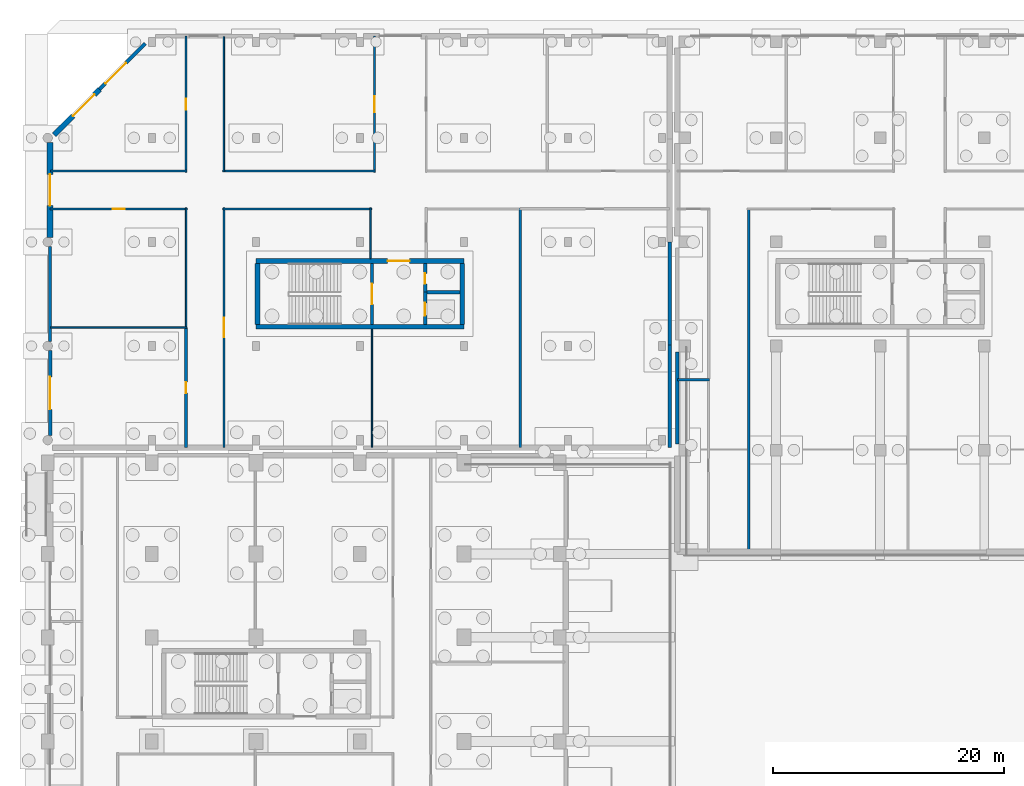
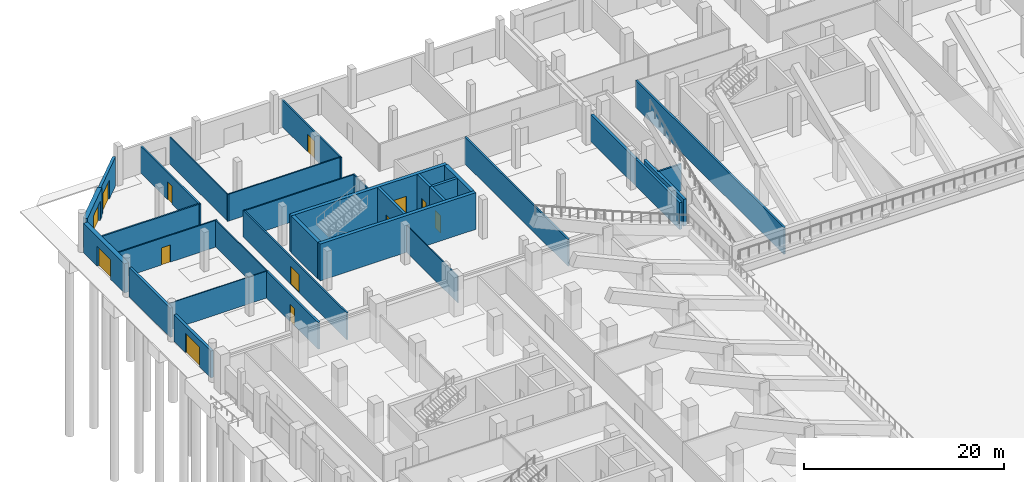
# One storey, part 33 of 53: 32 walls, 13 doors, 13 openings.
"""IFC4 building model written with IfcOpenShell, lengths in metres."""

import ifcopenshell
import ifcopenshell.guid

model = None  # the IFC model being written
_history = None  # IfcOwnerHistory: only IFC2X3 demands one
_inside = {}  # id of a spatial element -> (the spatial element, [elements in it])
_under = {}  # id of a project, library or spatial element -> (it, [spatial elements below it])
_declared = {}  # id of a project -> (the project, [libraries it declares])
_typed = {}  # id of a type object -> (the type object, [elements of that type])
_made_of = {}  # id of a material, layer set ... -> (it, [elements and type objects made of it])


def new_model(schema):
    """Start an empty IFC model of exactly this schema.

    Asked for "IFC4X3", IfcOpenShell would pick the latest addendum, in which some entities
    have other attributes; the version numbers below select the first issue.
    IFC2X3 requires an IfcOwnerHistory on every rooted entity: one is made here for all.
    """
    global model, _history
    if schema == "IFC4X3":
        model = ifcopenshell.file(schema_version=(4, 3, 0, 0))
    else:
        model = ifcopenshell.file(schema=schema)
    _inside.clear()
    _under.clear()
    _declared.clear()
    _typed.clear()
    _made_of.clear()
    _history = None
    if model.schema == "IFC2X3":
        org = make("IfcOrganization", Name="unknown")
        user = make(
            "IfcPersonAndOrganization",
            ThePerson=make("IfcPerson", FamilyName="unknown"),
            TheOrganization=org,
        )
        app = make(
            "IfcApplication",
            ApplicationDeveloper=org,
            Version="unknown",
            ApplicationFullName="unknown",
            ApplicationIdentifier="unknown",
        )
        _history = make(
            "IfcOwnerHistory",
            OwningUser=user,
            OwningApplication=app,
            ChangeAction="ADDED",
            CreationDate=0,
        )
    return model


def make(cls, **values):
    """One entity of the class cls with the attributes given. An attribute that is None is left unset."""
    return model.create_entity(
        cls, **{name: value for name, value in values.items() if value is not None}
    )


def rooted(cls, **values):
    """An entity with a GlobalId (a new one), such as an element, a storey or a relation."""
    return make(cls, GlobalId=ifcopenshell.guid.new(), OwnerHistory=_history, **values)


def si_unit(unit_type, name, prefix=None):
    """IfcSIUnit, for example si_unit("LENGTHUNIT", "METRE", prefix="MILLI")."""
    return make("IfcSIUnit", UnitType=unit_type, Prefix=prefix, Name=name)


def assignment(units):
    """IfcUnitAssignment: the units of a project."""
    return None if units is None else make("IfcUnitAssignment", Units=units)


def point(xyz):
    """IfcCartesianPoint."""
    return None if xyz is None else make("IfcCartesianPoint", Coordinates=xyz)


def direction(xyz):
    """IfcDirection."""
    return None if xyz is None else make("IfcDirection", DirectionRatios=xyz)


def frame(location, z_axis=None, x_axis=None):
    """IfcAxis2Placement3D, a coordinate frame: its origin and axes. An axis left out is left unset."""
    return make(
        "IfcAxis2Placement3D",
        Location=point(location),
        Axis=direction(z_axis),
        RefDirection=direction(x_axis),
    )


def frame_2d(location, x_axis=None):
    """IfcAxis2Placement2D, a coordinate frame in the plane: its origin and x axis."""
    return make(
        "IfcAxis2Placement2D", Location=point(location), RefDirection=direction(x_axis)
    )


def origin():
    """The frame at (0, 0, 0) with its axes left unset."""
    return frame((0.0, 0.0, 0.0))


def place(relative_to, where):
    """IfcLocalPlacement: puts the frame where relative to a parent placement (None: the world)."""
    return make(
        "IfcLocalPlacement", PlacementRelTo=relative_to, RelativePlacement=where
    )


def context(
    kind, dimensions, precision=None, world=None, true_north=None, identifier=None
):
    """IfcGeometricRepresentationContext, for example the 3D "Model" context."""
    return make(
        "IfcGeometricRepresentationContext",
        ContextIdentifier=identifier,
        ContextType=kind,
        CoordinateSpaceDimension=dimensions,
        Precision=precision,
        WorldCoordinateSystem=world,
        TrueNorth=true_north,
    )


def subcontext(parent, identifier, kind, view, scale=None):
    """IfcGeometricRepresentationSubContext, for example "Body" below "Model"."""
    return make(
        "IfcGeometricRepresentationSubContext",
        ContextIdentifier=identifier,
        ContextType=kind,
        ParentContext=parent,
        TargetScale=scale,
        TargetView=view,
    )


def project(units=None, contexts=None):
    """IfcProject with its units and contexts."""
    return rooted(
        "IfcProject",
        Name="project",
        RepresentationContexts=contexts,
        UnitsInContext=assignment(units),
    )


def spatial(cls, under=None, at=None, **own):
    """A site, building, storey or space (cls), placed at a placement, below another one or the project."""
    s = rooted(cls, ObjectPlacement=at, **own)
    if under is not None:
        _under.setdefault(under.id(), (under, []))[1].append(s)
    return s


def profile(cls, at=None, kind="AREA", **sizes):
    """A parametric profile (cls). Its sizes go by their IFC names, for example OverallWidth=200.0."""
    return make(cls, ProfileType=kind, Position=at, **sizes)


def rectangle(**sizes):
    """IfcRectangleProfileDef."""
    return profile("IfcRectangleProfileDef", **sizes)


def extrude(swept, where, along, depth):
    """IfcExtrudedAreaSolid: the profile swept, set in the frame where, extruded along a direction by depth."""
    return make(
        "IfcExtrudedAreaSolid",
        SweptArea=swept,
        Position=where,
        ExtrudedDirection=direction(along),
        Depth=depth,
    )


def shape(context_of_items, identifier, shape_type, items):
    """IfcShapeRepresentation: the items that make up one representation, for example the "Body"."""
    return make(
        "IfcShapeRepresentation",
        ContextOfItems=context_of_items,
        RepresentationIdentifier=identifier,
        RepresentationType=shape_type,
        Items=items,
    )


def material(Name=None, Category=None):
    """IfcMaterial."""
    return make("IfcMaterial", Name=Name, Category=Category)


def layer(
    of_material, thickness, ventilated=None, Name=None, Category=None, Priority=None
):
    """IfcMaterialLayer: one layer of a wall or slab, of a material (None: an air gap)."""
    return make(
        "IfcMaterialLayer",
        Material=of_material,
        LayerThickness=thickness,
        IsVentilated=ventilated,
        Name=Name,
        Category=Category,
        Priority=Priority,
    )


def layer_set(layers, Name=None):
    """IfcMaterialLayerSet."""
    return make("IfcMaterialLayerSet", MaterialLayers=layers, LayerSetName=Name)


def made_of(thing, what):
    """Note that an element or type object is made of a material, layer set ...; save() writes the relation."""
    if what is not None:
        _made_of.setdefault(what.id(), (what, []))[1].append(thing)
    return thing


def type_object(cls, material=None, **own):
    """A type object (cls), such as IfcWallType, which elements share."""
    return made_of(rooted(cls, **own), material)


def element(
    cls,
    number,
    at=None,
    inside=None,
    cuts=None,
    type_object=None,
    material=None,
    context=None,
    identifier="Body",
    shape_type=None,
    held_by="IfcProductDefinitionShape",
    body=None,
    shapes=None,
    **own,
):
    """One element of the class cls, such as IfcWall. Its Tag is "e" and its number.

    at: its placement. inside: the storey or other place that contains it. cuts: it is an
    opening in that element (IfcRelVoidsElement). A single representation is given by context,
    identifier, shape_type and body (its items); several are given by shapes. held_by: the class
    of the entity that holds the representations. save() writes the other relations.
    """
    e = rooted(cls, Tag="e%d" % number, ObjectPlacement=at, **own)
    if body is not None:
        shapes = [shape(context, identifier, shape_type, body)]
    if shapes is not None:
        e.Representation = make(held_by, Representations=shapes)
    if inside is not None:
        _inside.setdefault(inside.id(), (inside, []))[1].append(e)
    if cuts is not None:
        rooted(
            "IfcRelVoidsElement", RelatingBuildingElement=cuts, RelatedOpeningElement=e
        )
    if type_object is not None:
        _typed.setdefault(type_object.id(), (type_object, []))[1].append(e)
    return made_of(e, material)


def fill(opening, filler):
    """IfcRelFillsElement: the door or window that sits in an opening."""
    return rooted(
        "IfcRelFillsElement",
        RelatingOpeningElement=opening,
        RelatedBuildingElement=filler,
    )


def aggregate(whole, parts):
    """IfcRelAggregates: a whole, such as a stair, and the parts it consists of."""
    return rooted("IfcRelAggregates", RelatingObject=whole, RelatedObjects=parts)


def save(model, path):
    """Write the relations noted so far, then the file.

    IfcRelAggregates (storeys below a building ...), IfcRelContainedInSpatialStructure (elements
    in a storey), IfcRelDefinesByType, IfcRelAssociatesMaterial and IfcRelDeclares: one each for
    every whole, place, type object, material and project.
    """
    for whole, parts in _under.values():
        aggregate(whole, parts)
    for where, things in _inside.values():
        rooted(
            "IfcRelContainedInSpatialStructure",
            RelatedElements=things,
            RelatingStructure=where,
        )
    for kind, things in _typed.values():
        rooted("IfcRelDefinesByType", RelatedObjects=things, RelatingType=kind)
    for what, things in _made_of.values():
        rooted("IfcRelAssociatesMaterial", RelatedObjects=things, RelatingMaterial=what)
    for by, libraries in _declared.values():
        rooted("IfcRelDeclares", RelatingContext=by, RelatedDefinitions=libraries)
    model.write(path)


model = new_model("IFC4")

# Units and contexts
model_context = context("Model", 3, precision=1e-05, world=origin(), true_north=direction((0.0, 1.0)))
body_context = subcontext(model_context, "Body", "Model", "MODEL_VIEW")
ifc_project = project(units=[si_unit("LENGTHUNIT", "METRE"), si_unit("AREAUNIT", "SQUARE_METRE"), si_unit("VOLUMEUNIT", "CUBIC_METRE"), si_unit("PLANEANGLEUNIT", "RADIAN"), si_unit("MASSUNIT", "GRAM", prefix="KILO"), si_unit("THERMODYNAMICTEMPERATUREUNIT", "KELVIN"), si_unit("POWERUNIT", "WATT")], contexts=[model_context])

# Site, building, storey
site_placement = place(None, origin())
site = spatial("IfcSite", under=ifc_project, at=site_placement, CompositionType="ELEMENT")
building_placement = place(site_placement, origin())
building = spatial("IfcBuilding", under=site, at=building_placement, Name="Sindhuravela Promenade Stadium", CompositionType="ELEMENT")
storey_placement = place(building_placement, origin())
storey = spatial("IfcBuildingStorey", under=building, at=storey_placement, Name="L00", CompositionType="ELEMENT", Elevation=0.0)

# Walls
ifc_material_1 = material(Name="Dholpur sandstone ashlar (45 MPa)", Category="masonry")
ifc_layer_1 = layer(ifc_material_1, 0.2900390625)
ifc_layer_set_1 = layer_set([ifc_layer_1], Name="Dholpur sandstone ashlar (45 MPa)")
wall_type_1 = type_object("IfcWallType", Name="EX-WL-SND290", PredefinedType="SOLIDWALL", material=ifc_layer_set_1)
wall_1_placement = place(storey_placement, frame((0.199951171875, 135.405029296875, 0.0), z_axis=(0.0, 0.0, 1.0), x_axis=(0.0, 1.0, 0.0)))
element("IfcWall", 1, at=wall_1_placement, inside=storey, type_object=wall_type_1, Name="Exterior masonry wall EW10 Pavilion NW L00", PredefinedType="SOLIDWALL", context=body_context, shape_type="SweptSolid", body=[
    extrude(rectangle(XDim=8.18994140625, YDim=0.2900390625, at=frame_2d((4.094970703125, 0.0))), origin(), (0.0, 0.0, 1.0), 3.580078125),
])
wall_2_placement = place(storey_placement, frame((53.800048828125, 135.10009765625, 0.0), z_axis=(0.0, 0.0, 1.0), x_axis=(0.0, -1.0, 0.0)))
element("IfcWall", 2, at=wall_2_placement, inside=storey, type_object=wall_type_1, Name="Exterior masonry wall EW10 Pavilion NW L00", PredefinedType="SOLIDWALL", context=body_context, shape_type="SweptSolid", body=[
    extrude(rectangle(XDim=8.900146484375, YDim=0.2900390625, at=frame_2d((4.4501953125, 0.0))), origin(), (0.0, 0.0, 1.0), 3.280029296875),
])
ifc_layer_2 = layer(ifc_material_1, 0.31005859375)
ifc_layer_set_2 = layer_set([ifc_layer_2], Name="Dholpur sandstone ashlar (45 MPa)")
wall_type_2 = type_object("IfcWallType", Name="EX-WL-SND310", PredefinedType="SOLIDWALL", material=ifc_layer_set_2)
wall_3_placement = place(storey_placement, frame((54.449951171875, 126.5048828125, 0.0), z_axis=(0.0, 0.0, 1.0), x_axis=(0.0, 1.0, 0.0)))
element("IfcWall", 3, at=wall_3_placement, inside=storey, type_object=wall_type_2, Name="Exterior masonry wall EW09 NORTH L00", PredefinedType="SOLIDWALL", context=body_context, shape_type="SweptSolid", body=[
    extrude(rectangle(XDim=7.990234375, YDim=0.31005859375, at=frame_2d((3.9951171875, 0.0))), origin(), (0.0, 0.0, 1.0), 3.280029296875),
])

# Wall, opening, door
wall_4_placement = place(storey_placement, frame((0.199951171875, 127.2548828125, 0.0), z_axis=(0.0, 0.0, 1.0), x_axis=(0.0, 1.0, 0.0)))
wall_4 = element("IfcWall", 4, at=wall_4_placement, inside=storey, type_object=wall_type_2, Name="Exterior masonry wall EW09 Pavilion NW L00", PredefinedType="SOLIDWALL", context=body_context, shape_type="SweptSolid", body=[
    extrude(rectangle(XDim=7.340087890625, YDim=0.31005859375, at=frame_2d((3.669921875, 0.0))), origin(), (0.0, 0.0, 1.0), 3.280029296875),
])
opening_1_placement = place(wall_4_placement, frame((2.27001953125, 0.0, 0.0)))
opening_1 = element("IfcOpeningElement", 5, at=opening_1_placement, cuts=wall_4, Name="Opening X09", PredefinedType="OPENING", context=body_context, shape_type="SweptSolid", body=[
    extrude(rectangle(XDim=2.800048828125, YDim=2.39990234375, at=frame_2d((1.39990234375, 1.199951171875))), frame((0.0, 0.1650390625, 0.0), z_axis=(0.0, -1.0, 0.0), x_axis=(1.0, 0.0, 0.0)), (0.0, 0.0, 1.0), 0.330078125),
])
ifc_material_2 = material(Name="Anodised architectural aluminium 6063-T6", Category="aluminium")
door_type_1 = type_object("IfcDoorType", Name="DR-EXIT-2800x2400", OperationType="DOUBLE_DOOR_SINGLE_SWING", PredefinedType="DOOR", material=ifc_material_2)
door_1_placement = place(opening_1_placement, origin())
door_1 = element("IfcDoor", 6, at=door_1_placement, inside=storey, type_object=door_type_1, Name="Concourse exit discharge door X09", OperationType="DOUBLE_DOOR_SINGLE_SWING", OverallHeight=2.39990234375, OverallWidth=2.800048828125, PredefinedType="DOOR", context=body_context, shape_type="SweptSolid", body=[
    extrude(rectangle(XDim=2.800048828125, YDim=2.39990234375, at=frame_2d((1.39990234375, 1.199951171875))), frame((0.0, 0.02490234375, 0.0), z_axis=(0.0, -1.0, 0.0), x_axis=(1.0, 0.0, 0.0)), (0.0, 0.0, 1.0), 0.050048828125),
])
fill(opening_1, door_1)

wall_5_placement = place(storey_placement, frame((4.491455078125, 157.20849609375, 0.0), z_axis=(0.0, 0.0, 1.0), x_axis=(0.7071067811865476, 0.7071067811865476, 0.0)))
wall_5 = element("IfcWall", 7, at=wall_5_placement, inside=storey, type_object=wall_type_2, Name="Exterior masonry wall EW09 Pavilion NW L00", PredefinedType="SOLIDWALL", context=body_context, shape_type="SweptSolid", body=[
    extrude(rectangle(XDim=5.581298828125, YDim=0.31005859375, at=frame_2d((2.79052734375, 0.0))), origin(), (0.0, 0.0, 1.0), 3.580078125),
])
opening_2_placement = place(wall_5_placement, frame((0.703369140625, 0.0, 0.0)))
opening_2 = element("IfcOpeningElement", 8, at=opening_2_placement, cuts=wall_5, Name="Opening X12", PredefinedType="OPENING", context=body_context, shape_type="SweptSolid", body=[
    extrude(rectangle(XDim=2.5, YDim=2.35009765625, at=frame_2d((1.25, 1.175048828125))), frame((0.0, 0.1650390625, 0.0), z_axis=(0.0, -1.0, 0.0), x_axis=(1.0, 0.0, 0.0)), (0.0, 0.0, 1.0), 0.330078125),
])
door_type_2 = type_object("IfcDoorType", Name="DR-EXIT-2500x2350", OperationType="DOUBLE_DOOR_SINGLE_SWING", PredefinedType="DOOR", material=ifc_material_2)
door_2_placement = place(opening_2_placement, origin())
door_2 = element("IfcDoor", 9, at=door_2_placement, inside=storey, type_object=door_type_2, Name="Concourse exit discharge door X12", OperationType="DOUBLE_DOOR_SINGLE_SWING", OverallHeight=2.35009765625, OverallWidth=2.5, PredefinedType="DOOR", context=body_context, shape_type="SweptSolid", body=[
    extrude(rectangle(XDim=2.5, YDim=2.35009765625, at=frame_2d((1.25, 1.175048828125))), frame((0.0, 0.02490234375, 0.0), z_axis=(0.0, -1.0, 0.0), x_axis=(1.0, 0.0, 0.0)), (0.0, 0.0, 1.0), 0.050048828125),
])
fill(opening_2, door_2)

# Wall
wall_6_placement = place(storey_placement, frame((53.800048828125, 144.0, 0.0), z_axis=(0.0, 0.0, 1.0), x_axis=(0.0, -1.0, 0.0)))
element("IfcWall", 10, at=wall_6_placement, inside=storey, type_object=wall_type_2, Name="Exterior masonry wall EW09 Pavilion NW L00", PredefinedType="SOLIDWALL", context=body_context, shape_type="SweptSolid", body=[
    extrude(rectangle(XDim=8.89990234375, YDim=0.31005859375, at=frame_2d((4.449951171875, 0.0))), origin(), (0.0, 0.0, 1.0), 3.280029296875),
])

# Wall, opening, door
ifc_layer_3 = layer(ifc_material_1, 0.47998046875)
ifc_layer_set_3 = layer_set([ifc_layer_3], Name="Dholpur sandstone ashlar (45 MPa)")
wall_type_3 = type_object("IfcWallType", Name="EX-WL-SND480", PredefinedType="SOLIDWALL", material=ifc_layer_set_3)
wall_7_placement = place(storey_placement, frame((0.544921875, 153.26220703125, 0.0), z_axis=(0.0, 0.0, 1.0), x_axis=(0.7071286530614815, 0.7070849086350626, 0.0)))
wall_7 = element("IfcWall", 11, at=wall_7_placement, inside=storey, type_object=wall_type_3, Name="Exterior masonry wall EW08 Pavilion NW L00", PredefinedType="SOLIDWALL", context=body_context, shape_type="SweptSolid", body=[
    extrude(rectangle(XDim=5.5810546875, YDim=0.47998046875, at=frame_2d((2.79052734375, 0.0))), origin(), (0.0, 0.0, 1.0), 3.580078125),
])
opening_3_placement = place(wall_7_placement, frame((2.32763671875, 0.0, 0.0)))
opening_3 = element("IfcOpeningElement", 12, at=opening_3_placement, cuts=wall_7, Name="Opening X11", PredefinedType="OPENING", context=body_context, shape_type="SweptSolid", body=[
    extrude(rectangle(XDim=2.60009765625, YDim=2.35009765625, at=frame_2d((1.300048828125, 1.175048828125))), frame((0.0, 0.25, 0.0), z_axis=(0.0, -1.0, 0.0), x_axis=(1.0, 0.0, 0.0)), (0.0, 0.0, 1.0), 0.5),
])
door_type_3 = type_object("IfcDoorType", Name="DR-EXIT-2600x2350", OperationType="DOUBLE_DOOR_SINGLE_SWING", PredefinedType="DOOR", material=ifc_material_2)
door_3_placement = place(opening_3_placement, origin())
door_3 = element("IfcDoor", 13, at=door_3_placement, inside=storey, type_object=door_type_3, Name="Concourse exit discharge door X11", OperationType="DOUBLE_DOOR_SINGLE_SWING", OverallHeight=2.35009765625, OverallWidth=2.60009765625, PredefinedType="DOOR", context=body_context, shape_type="SweptSolid", body=[
    extrude(rectangle(XDim=2.60009765625, YDim=2.35009765625, at=frame_2d((1.300048828125, 1.175048828125))), frame((0.0, 0.02490234375, 0.0), z_axis=(0.0, -1.0, 0.0), x_axis=(1.0, 0.0, 0.0)), (0.0, 0.0, 1.0), 0.050048828125),
])
fill(opening_3, door_3)

ifc_layer_4 = layer(ifc_material_1, 0.5)
ifc_layer_set_4 = layer_set([ifc_layer_4], Name="Dholpur sandstone ashlar (45 MPa)")
wall_type_4 = type_object("IfcWallType", Name="EX-WL-SND500", PredefinedType="SOLIDWALL", material=ifc_layer_set_4)
wall_8_placement = place(storey_placement, frame((0.199951171875, 144.405029296875, 0.0), z_axis=(0.0, 0.0, 1.0), x_axis=(0.0, 1.0, 0.0)))
wall_8 = element("IfcWall", 14, at=wall_8_placement, inside=storey, type_object=wall_type_4, Name="Exterior masonry wall EW07 Pavilion NW L00", PredefinedType="SOLIDWALL", context=body_context, shape_type="SweptSolid", body=[
    extrude(rectangle(XDim=8.18994140625, YDim=0.5, at=frame_2d((4.094970703125, 0.0))), origin(), (0.0, 0.0, 1.0), 3.580078125),
])
opening_4_placement = place(wall_8_placement, frame((2.7451171875, 0.0, 0.0)))
opening_4 = element("IfcOpeningElement", 15, at=opening_4_placement, cuts=wall_8, Name="Opening X10", PredefinedType="OPENING", context=body_context, shape_type="SweptSolid", body=[
    extrude(rectangle(XDim=2.699951171875, YDim=2.39990234375, at=frame_2d((1.35009765625, 1.199951171875))), frame((0.0, 0.260009765625, 0.0), z_axis=(0.0, -1.0, 0.0), x_axis=(1.0, 0.0, 0.0)), (0.0, 0.0, 1.0), 0.52001953125),
])
door_type_4 = type_object("IfcDoorType", Name="DR-EXIT-2700x2400", OperationType="DOUBLE_DOOR_SINGLE_SWING", PredefinedType="DOOR", material=ifc_material_2)
door_4_placement = place(opening_4_placement, origin())
door_4 = element("IfcDoor", 16, at=door_4_placement, inside=storey, type_object=door_type_4, Name="Concourse exit discharge door X10", OperationType="DOUBLE_DOOR_SINGLE_SWING", OverallHeight=2.39990234375, OverallWidth=2.699951171875, PredefinedType="DOOR", context=body_context, shape_type="SweptSolid", body=[
    extrude(rectangle(XDim=2.699951171875, YDim=2.39990234375, at=frame_2d((1.35009765625, 1.199951171875))), frame((0.0, 0.02490234375, 0.0), z_axis=(0.0, -1.0, 0.0), x_axis=(1.0, 0.0, 0.0)), (0.0, 0.0, 1.0), 0.050048828125),
])
fill(opening_4, door_4)

# Walls
ifc_material_3 = material(Name="Fire-rated gypsum partition board", Category="gypsum")
ifc_layer_5 = layer(ifc_material_3, 0.110107421875)
ifc_layer_set_5 = layer_set([ifc_layer_5], Name="Fire-rated gypsum partition board")
wall_type_5 = type_object("IfcWallType", Name="IN-WL-PAR110", PredefinedType="PARTITIONING", material=ifc_layer_set_5)
wall_9_placement = place(storey_placement, frame((28.05322265625, 136.447998046875, 0.0), z_axis=(0.0, 0.0, 1.0), x_axis=(0.0, -1.0, 0.0)))
element("IfcWall", 17, at=wall_9_placement, inside=storey, type_object=wall_type_5, Name="Interior partition IW06 Pavilion NW L00", PredefinedType="PARTITIONING", context=body_context, shape_type="SweptSolid", body=[
    extrude(rectangle(XDim=10.2080078125, YDim=0.110107421875, at=frame_2d((5.10400390625, 0.0))), origin(), (0.0, 0.0, 1.0), 3.280029296875),
])
wall_10_placement = place(storey_placement, frame((12.0400390625, 136.590087890625, 0.0), z_axis=(0.0, 0.0, 1.0), x_axis=(-1.0, 0.0, 0.0)))
element("IfcWall", 18, at=wall_10_placement, inside=storey, type_object=wall_type_5, Name="Interior partition IW06 Pavilion NW L00", PredefinedType="PARTITIONING", context=body_context, shape_type="SweptSolid", body=[
    extrude(rectangle(XDim=11.800048828125, YDim=0.110107421875, at=frame_2d((5.89990234375, 0.0))), origin(), (0.0, 0.0, 1.0), 3.280029296875),
])
ifc_layer_6 = layer(ifc_material_3, 0.1298828125)
ifc_layer_set_6 = layer_set([ifc_layer_6], Name="Fire-rated gypsum partition board")
wall_type_6 = type_object("IfcWallType", Name="IN-WL-PAR130", PredefinedType="PARTITIONING", material=ifc_layer_set_6)
wall_11_placement = place(storey_placement, frame((27.933349609375, 146.93994140625, 0.0), z_axis=(0.0, 0.0, 1.0), x_axis=(0.0, -1.0, 0.0)))
element("IfcWall", 19, at=wall_11_placement, inside=storey, type_object=wall_type_6, Name="Interior partition IW05 Pavilion NW L00", PredefinedType="PARTITIONING", context=body_context, shape_type="SweptSolid", body=[
    extrude(rectangle(XDim=4.387939453125, YDim=0.1298828125, at=frame_2d((2.19384765625, 0.0))), origin(), (0.0, 0.0, 1.0), 3.280029296875),
])
wall_12_placement = place(storey_placement, frame((15.239990234375, 150.06005859375, 0.0), z_axis=(0.0, 0.0, 1.0), x_axis=(0.0, 1.0, 0.0)))
element("IfcWall", 20, at=wall_12_placement, inside=storey, type_object=wall_type_6, Name="Interior partition IW05 Pavilion NW L00", PredefinedType="PARTITIONING", context=body_context, shape_type="SweptSolid", body=[
    extrude(rectangle(XDim=11.699951171875, YDim=0.1298828125, at=frame_2d((5.85009765625, 0.0))), origin(), (0.0, 0.0, 1.0), 3.280029296875),
])
wall_13_placement = place(storey_placement, frame((11.9599609375, 146.93994140625, 0.0), z_axis=(0.0, 0.0, 1.0), x_axis=(0.0, -1.0, 0.0)))
element("IfcWall", 21, at=wall_13_placement, inside=storey, type_object=wall_type_6, Name="Interior partition IW05 Pavilion NW L00", PredefinedType="PARTITIONING", context=body_context, shape_type="SweptSolid", body=[
    extrude(rectangle(XDim=10.31005859375, YDim=0.1298828125, at=frame_2d((5.155029296875, 0.0))), origin(), (0.0, 0.0, 1.0), 3.280029296875),
])
ifc_layer_7 = layer(ifc_material_3, 0.14990234375)
ifc_layer_set_7 = layer_set([ifc_layer_7], Name="Fire-rated gypsum partition board")
wall_type_7 = type_object("IfcWallType", Name="IN-WL-PAR150", PredefinedType="PARTITIONING", material=ifc_layer_set_7)
wall_14_placement = place(storey_placement, frame((15.159912109375, 146.860107421875, 0.0), z_axis=(0.0, 0.0, 1.0), x_axis=(1.0, 0.0, 0.0)))
element("IfcWall", 22, at=wall_14_placement, inside=storey, type_object=wall_type_7, Name="Interior partition IW04 Pavilion NW L00", PredefinedType="PARTITIONING", context=body_context, shape_type="SweptSolid", body=[
    extrude(rectangle(XDim=12.853271484375, YDim=0.14990234375, at=frame_2d((6.4267578125, 0.0))), origin(), (0.0, 0.0, 1.0), 3.280029296875),
])
wall_15_placement = place(storey_placement, frame((28.340087890625, 150.139892578125, 0.0), z_axis=(0.0, 0.0, 1.0), x_axis=(-1.0, 0.0, 0.0)))
element("IfcWall", 23, at=wall_15_placement, inside=storey, type_object=wall_type_7, Name="Interior partition IW04 Pavilion NW L00", PredefinedType="PARTITIONING", context=body_context, shape_type="SweptSolid", body=[
    extrude(rectangle(XDim=13.18017578125, YDim=0.14990234375, at=frame_2d((6.590087890625, 0.0))), origin(), (0.0, 0.0, 1.0), 3.280029296875),
])

# Wall, opening, door
wall_16_placement = place(storey_placement, frame((12.080078125, 146.860107421875, 0.0), z_axis=(0.0, 0.0, 1.0), x_axis=(-1.0, 0.0, 0.0)))
wall_16 = element("IfcWall", 24, at=wall_16_placement, inside=storey, type_object=wall_type_7, Name="Corridor partition IW04 Bag Check and Security Hall NW 4", PredefinedType="PARTITIONING", context=body_context, shape_type="SweptSolid", body=[
    extrude(rectangle(XDim=11.880126953125, YDim=0.14990234375, at=frame_2d((5.93994140625, 0.0))), origin(), (0.0, 0.0, 1.0), 3.280029296875),
])
opening_5_placement = place(wall_16_placement, frame((5.43994140625, 0.0, 0.0)))
opening_5 = element("IfcOpeningElement", 25, at=opening_5_placement, cuts=wall_16, Name="Opening ID08", PredefinedType="OPENING", context=body_context, shape_type="SweptSolid", body=[
    extrude(rectangle(XDim=1.0, YDim=2.10009765625, at=frame_2d((0.5, 1.050048828125))), frame((0.0, 0.0849609375, 0.0), z_axis=(0.0, -1.0, 0.0), x_axis=(1.0, 0.0, 0.0)), (0.0, 0.0, 1.0), 0.169921875),
])
ifc_material_4 = material(Name="Architectural teak timber leaf", Category="wood")
door_type_5 = type_object("IfcDoorType", Name="DR-INT-1000x2100", OperationType="NOTDEFINED", PredefinedType="DOOR", material=ifc_material_4)
door_5_placement = place(opening_5_placement, origin())
door_5 = element("IfcDoor", 26, at=door_5_placement, inside=storey, type_object=door_type_5, Name="Bag Check and Security Hall NW 4 door", OperationType="SINGLE_SWING_LEFT", OverallHeight=2.10009765625, OverallWidth=1.0, PredefinedType="DOOR", context=body_context, shape_type="SweptSolid", body=[
    extrude(rectangle(XDim=1.0, YDim=2.10009765625, at=frame_2d((0.5, 1.050048828125))), frame((0.0, 0.02490234375, 0.0), z_axis=(0.0, -1.0, 0.0), x_axis=(1.0, 0.0, 0.0)), (0.0, 0.0, 1.0), 0.050048828125),
])
fill(opening_5, door_5)

ifc_layer_8 = layer(ifc_material_3, 0.175048828125)
ifc_layer_set_8 = layer_set([ifc_layer_8], Name="Fire-rated gypsum partition board")
wall_type_8 = type_object("IfcWallType", Name="IN-WL-PAR175", PredefinedType="PARTITIONING", material=ifc_layer_set_8)
wall_17_placement = place(storey_placement, frame((15.239990234375, 146.97998046875, 0.0), z_axis=(0.0, 0.0, 1.0), x_axis=(0.0, -1.0, 0.0)))
wall_17 = element("IfcWall", 27, at=wall_17_placement, inside=storey, type_object=wall_type_8, Name="Corridor partition IW03 Spectator Accreditation Foyer NW", PredefinedType="PARTITIONING", context=body_context, shape_type="SweptSolid", body=[
    extrude(rectangle(XDim=20.780029296875, YDim=0.175048828125, at=frame_2d((10.39013671875, 0.0))), origin(), (0.0, 0.0, 1.0), 3.280029296875),
])
opening_6_placement = place(wall_17_placement, frame((9.5400390625, 0.0, 0.0)))
opening_6 = element("IfcOpeningElement", 28, at=opening_6_placement, cuts=wall_17, Name="Opening ID01", PredefinedType="OPENING", context=body_context, shape_type="SweptSolid", body=[
    extrude(rectangle(XDim=1.699951171875, YDim=2.199951171875, at=frame_2d((0.85009765625, 1.10009765625))), frame((0.0, 0.097412109375, 0.0), z_axis=(0.0, -1.0, 0.0), x_axis=(1.0, 0.0, 0.0)), (0.0, 0.0, 1.0), 0.195068359375),
])
door_type_6 = type_object("IfcDoorType", Name="DR-INT-1700x2200", OperationType="DOUBLE_DOOR_SINGLE_SWING", PredefinedType="DOOR", material=ifc_material_4)
door_6_placement = place(opening_6_placement, origin())
door_6 = element("IfcDoor", 29, at=door_6_placement, inside=storey, type_object=door_type_6, Name="Spectator Accreditation Foyer NW door", OperationType="DOUBLE_DOOR_SINGLE_SWING", OverallHeight=2.199951171875, OverallWidth=1.699951171875, PredefinedType="DOOR", context=body_context, shape_type="SweptSolid", body=[
    extrude(rectangle(XDim=1.699951171875, YDim=2.199951171875, at=frame_2d((0.85009765625, 1.10009765625))), frame((0.0, 0.02490234375, 0.0), z_axis=(0.0, -1.0, 0.0), x_axis=(1.0, 0.0, 0.0)), (0.0, 0.0, 1.0), 0.050048828125),
])
fill(opening_6, door_6)

wall_18_placement = place(storey_placement, frame((28.260009765625, 150.02001953125, 0.0), z_axis=(0.0, 0.0, 1.0), x_axis=(0.0, 1.0, 0.0)))
wall_18 = element("IfcWall", 30, at=wall_18_placement, inside=storey, type_object=wall_type_8, Name="Corridor partition IW03 Accessible WC NW L00", PredefinedType="PARTITIONING", context=body_context, shape_type="SweptSolid", body=[
    extrude(rectangle(XDim=11.780029296875, YDim=0.175048828125, at=frame_2d((5.89013671875, 0.0))), origin(), (0.0, 0.0, 1.0), 3.280029296875),
])
opening_7_placement = place(wall_18_placement, frame((5.18994140625, 0.0, 0.0)))
opening_7 = element("IfcOpeningElement", 31, at=opening_7_placement, cuts=wall_18, Name="Opening ID03", PredefinedType="OPENING", context=body_context, shape_type="SweptSolid", body=[
    extrude(rectangle(XDim=1.39990234375, YDim=2.14990234375, at=frame_2d((0.699951171875, 1.074951171875))), frame((0.0, 0.097412109375, 0.0), z_axis=(0.0, -1.0, 0.0), x_axis=(1.0, 0.0, 0.0)), (0.0, 0.0, 1.0), 0.195068359375),
])
door_type_7 = type_object("IfcDoorType", Name="DR-INT-1400x2150", OperationType="DOUBLE_DOOR_SINGLE_SWING", PredefinedType="DOOR", material=ifc_material_4)
door_7_placement = place(opening_7_placement, origin())
door_7 = element("IfcDoor", 32, at=door_7_placement, inside=storey, type_object=door_type_7, Name="Accessible WC NW L00 door", OperationType="DOUBLE_DOOR_SINGLE_SWING", OverallHeight=2.14990234375, OverallWidth=1.39990234375, PredefinedType="DOOR", context=body_context, shape_type="SweptSolid", body=[
    extrude(rectangle(XDim=1.39990234375, YDim=2.14990234375, at=frame_2d((0.699951171875, 1.074951171875))), frame((0.0, 0.02490234375, 0.0), z_axis=(0.0, -1.0, 0.0), x_axis=(1.0, 0.0, 0.0)), (0.0, 0.0, 1.0), 0.050048828125),
])
fill(opening_7, door_7)

# Walls
wall_19_placement = place(storey_placement, frame((12.0400390625, 150.139892578125, 0.0), z_axis=(0.0, 0.0, 1.0), x_axis=(-1.0, 0.0, 0.0)))
element("IfcWall", 33, at=wall_19_placement, inside=storey, type_object=wall_type_8, Name="Interior partition IW03 Pavilion NW L00", PredefinedType="PARTITIONING", context=body_context, shape_type="SweptSolid", body=[
    extrude(rectangle(XDim=11.800048828125, YDim=0.175048828125, at=frame_2d((5.89990234375, 0.0))), origin(), (0.0, 0.0, 1.0), 3.280029296875),
])
ifc_layer_9 = layer(ifc_material_3, 0.195068359375)
ifc_layer_set_9 = layer_set([ifc_layer_9], Name="Fire-rated gypsum partition board")
wall_type_9 = type_object("IfcWallType", Name="IN-WL-PAR195", PredefinedType="PARTITIONING", material=ifc_layer_set_9)
wall_20_placement = place(storey_placement, frame((57.239990234375, 132.090087890625, 0.0), z_axis=(0.0, 0.0, 1.0), x_axis=(-1.0, 0.0, 0.0)))
element("IfcWall", 34, at=wall_20_placement, inside=storey, type_object=wall_type_9, Name="Interior partition IW02 NORTH L00", PredefinedType="PARTITIONING", context=body_context, shape_type="SweptSolid", body=[
    extrude(rectangle(XDim=2.75, YDim=0.195068359375, at=frame_2d((1.375, 0.0))), origin(), (0.0, 0.0, 1.0), 3.280029296875),
])
wall_21_placement = place(storey_placement, frame((40.86669921875, 126.239990234375, 0.0), z_axis=(0.0, 0.0, 1.0), x_axis=(0.0, 1.0, 0.0)))
element("IfcWall", 35, at=wall_21_placement, inside=storey, type_object=wall_type_9, Name="Interior partition IW02 Pavilion NW L00", PredefinedType="PARTITIONING", context=body_context, shape_type="SweptSolid", body=[
    extrude(rectangle(XDim=20.699951171875, YDim=0.195068359375, at=frame_2d((10.35009765625, 0.0))), origin(), (0.0, 0.0, 1.0), 3.280029296875),
])

# Wall, opening, door
wall_22_placement = place(storey_placement, frame((11.9599609375, 150.02001953125, 0.0), z_axis=(0.0, 0.0, 1.0), x_axis=(0.0, 1.0, 0.0)))
wall_22 = element("IfcWall", 36, at=wall_22_placement, inside=storey, type_object=wall_type_9, Name="Corridor partition IW02 Gate Ticketing Hall NW 6", PredefinedType="PARTITIONING", context=body_context, shape_type="SweptSolid", body=[
    extrude(rectangle(XDim=11.780029296875, YDim=0.195068359375, at=frame_2d((5.89013671875, 0.0))), origin(), (0.0, 0.0, 1.0), 3.280029296875),
])
opening_8_placement = place(wall_22_placement, frame((5.4150390625, 0.0, 0.0)))
opening_8 = element("IfcOpeningElement", 37, at=opening_8_placement, cuts=wall_22, Name="Opening ID10", PredefinedType="OPENING", context=body_context, shape_type="SweptSolid", body=[
    extrude(rectangle(XDim=0.949951171875, YDim=2.179931640625, at=frame_2d((0.47509765625, 1.08984375))), frame((0.0, 0.107421875, 0.0), z_axis=(0.0, -1.0, 0.0), x_axis=(1.0, 0.0, 0.0)), (0.0, 0.0, 1.0), 0.215087890625),
])
door_type_8 = type_object("IfcDoorType", Name="DR-INT-950x2180", OperationType="NOTDEFINED", PredefinedType="DOOR", material=ifc_material_4)
door_8_placement = place(opening_8_placement, origin())
door_8 = element("IfcDoor", 38, at=door_8_placement, inside=storey, type_object=door_type_8, Name="Gate Ticketing Hall NW 6 door", OperationType="SINGLE_SWING_LEFT", OverallHeight=2.179931640625, OverallWidth=0.949951171875, PredefinedType="DOOR", context=body_context, shape_type="SweptSolid", body=[
    extrude(rectangle(XDim=0.949951171875, YDim=2.179931640625, at=frame_2d((0.47509765625, 1.08984375))), frame((0.0, 0.02490234375, 0.0), z_axis=(0.0, -1.0, 0.0), x_axis=(1.0, 0.0, 0.0)), (0.0, 0.0, 1.0), 0.050048828125),
])
fill(opening_8, door_8)

# Wall
ifc_layer_10 = layer(ifc_material_3, 0.219970703125)
ifc_layer_set_10 = layer_set([ifc_layer_10], Name="Fire-rated gypsum partition board")
wall_type_10 = type_object("IfcWallType", Name="IN-WL-PAR220", PredefinedType="PARTITIONING", material=ifc_layer_set_10)
wall_23_placement = place(storey_placement, frame((60.639892578125, 117.239990234375, 0.0), z_axis=(0.0, 0.0, 1.0), x_axis=(0.0, 1.0, 0.0)))
element("IfcWall", 39, at=wall_23_placement, inside=storey, type_object=wall_type_10, Name="Interior partition IW01 NORTH L00", PredefinedType="PARTITIONING", context=body_context, shape_type="SweptSolid", body=[
    extrude(rectangle(XDim=29.699951171875, YDim=0.219970703125, at=frame_2d((14.85009765625, 0.0))), origin(), (0.0, 0.0, 1.0), 3.280029296875),
])

# Wall, opening, door
wall_24_placement = place(storey_placement, frame((11.9599609375, 126.199951171875, 0.0), z_axis=(0.0, 0.0, 1.0), x_axis=(0.0, 1.0, 0.0)))
wall_24 = element("IfcWall", 40, at=wall_24_placement, inside=storey, type_object=wall_type_10, Name="Corridor partition IW01 Accessible WC NW L00 5", PredefinedType="PARTITIONING", context=body_context, shape_type="SweptSolid", body=[
    extrude(rectangle(XDim=10.39013671875, YDim=0.219970703125, at=frame_2d((5.195068359375, 0.0))), origin(), (0.0, 0.0, 1.0), 3.280029296875),
])
opening_9_placement = place(wall_24_placement, frame((4.719970703125, 0.0, 0.0)))
opening_9 = element("IfcOpeningElement", 41, at=opening_9_placement, cuts=wall_24, Name="Opening ID09", PredefinedType="OPENING", context=body_context, shape_type="SweptSolid", body=[
    extrude(rectangle(XDim=0.949951171875, YDim=2.10009765625, at=frame_2d((0.47509765625, 1.050048828125))), frame((0.0, 0.119873046875, 0.0), z_axis=(0.0, -1.0, 0.0), x_axis=(1.0, 0.0, 0.0)), (0.0, 0.0, 1.0), 0.239990234375),
])
door_type_9 = type_object("IfcDoorType", Name="DR-INT-950x2100", OperationType="NOTDEFINED", PredefinedType="DOOR", material=ifc_material_4)
door_9_placement = place(opening_9_placement, origin())
door_9 = element("IfcDoor", 42, at=door_9_placement, inside=storey, type_object=door_type_9, Name="Accessible WC NW L00 5 door", OperationType="SINGLE_SWING_RIGHT", OverallHeight=2.10009765625, OverallWidth=0.949951171875, PredefinedType="DOOR", context=body_context, shape_type="SweptSolid", body=[
    extrude(rectangle(XDim=0.949951171875, YDim=2.10009765625, at=frame_2d((0.47509765625, 1.050048828125))), frame((0.0, 0.02490234375, 0.0), z_axis=(0.0, -1.0, 0.0), x_axis=(1.0, 0.0, 0.0)), (0.0, 0.0, 1.0), 0.050048828125),
])
fill(opening_9, door_9)

ifc_material_5 = material(Name="Concrete M50", Category="concrete")
ifc_layer_11 = layer(ifc_material_5, 0.300048828125)
ifc_layer_set_11 = layer_set([ifc_layer_11], Name="Concrete M50")
wall_type_11 = type_object("IfcWallType", Name="RC-SW-300", PredefinedType="SHEAR", material=ifc_layer_set_11)
wall_25_placement = place(storey_placement, frame((28.050048828125, 136.85009765625, 0.0), z_axis=(0.0, 0.0, 1.0), x_axis=(0.0, 1.0, 0.0)))
wall_25 = element("IfcWall", 43, at=wall_25_placement, inside=storey, type_object=wall_type_11, Name="Core shear wall C15-ST (L00)", PredefinedType="SHEAR", context=body_context, shape_type="SweptSolid", body=[
    extrude(rectangle(XDim=5.2998046875, YDim=0.300048828125, at=frame_2d((2.64990234375, 0.0))), origin(), (0.0, 0.0, 1.0), 4.5),
])
opening_10_placement = place(wall_25_placement, frame((1.75, 0.0, 0.0)))
opening_10 = element("IfcOpeningElement", 44, at=opening_10_placement, cuts=wall_25, Name="Opening FD01", PredefinedType="OPENING", context=body_context, shape_type="SweptSolid", body=[
    extrude(rectangle(XDim=1.800048828125, YDim=2.25, at=frame_2d((0.89990234375, 1.125))), frame((0.0, 0.159912109375, 0.0), z_axis=(0.0, -1.0, 0.0), x_axis=(1.0, 0.0, 0.0)), (0.0, 0.0, 1.0), 0.320068359375),
])
ifc_material_6 = material(Name="Architectural wrought steel E350", Category="steel")
door_type_10 = type_object("IfcDoorType", Name="DR-CORE-1800x2250", OperationType="DOUBLE_DOOR_SINGLE_SWING", PredefinedType="DOOR", material=ifc_material_6)
door_10_placement = place(opening_10_placement, origin())
door_10 = element("IfcDoor", 45, at=door_10_placement, inside=storey, type_object=door_type_10, Name="Stair GS03 lobby fire door (L00)", OperationType="DOUBLE_DOOR_SINGLE_SWING", OverallHeight=2.25, OverallWidth=1.800048828125, PredefinedType="DOOR", context=body_context, shape_type="SweptSolid", body=[
    extrude(rectangle(XDim=1.800048828125, YDim=2.25, at=frame_2d((0.89990234375, 1.125))), frame((0.0, 0.02490234375, 0.0), z_axis=(0.0, -1.0, 0.0), x_axis=(1.0, 0.0, 0.0)), (0.0, 0.0, 1.0), 0.050048828125),
])
fill(opening_10, door_10)

wall_26_placement = place(storey_placement, frame((32.64990234375, 136.85009765625, 0.0), z_axis=(0.0, 0.0, 1.0), x_axis=(0.0, 1.0, 0.0)))
wall_26 = element("IfcWall", 46, at=wall_26_placement, inside=storey, type_object=wall_type_11, Name="Core shear wall C15-LFT (L00)", PredefinedType="SHEAR", context=body_context, shape_type="SweptSolid", body=[
    extrude(rectangle(XDim=2.7998046875, YDim=0.300048828125, at=frame_2d((1.39990234375, 0.0))), origin(), (0.0, 0.0, 1.0), 4.5),
])
opening_11_placement = place(wall_26_placement, frame((0.77490234375, 0.0, 0.0)))
opening_11 = element("IfcOpeningElement", 47, at=opening_11_placement, cuts=wall_26, Name="Opening LD", PredefinedType="OPENING", context=body_context, shape_type="SweptSolid", body=[
    extrude(rectangle(XDim=1.10009765625, YDim=2.10009765625, at=frame_2d((0.550048828125, 1.050048828125))), frame((0.0, 0.159912109375, 0.0), z_axis=(0.0, -1.0, 0.0), x_axis=(1.0, 0.0, 0.0)), (0.0, 0.0, 1.0), 0.320068359375),
])
door_type_11 = type_object("IfcDoorType", Name="DR-LFT-1100x2100", OperationType="DOUBLE_DOOR_SLIDING", PredefinedType="DOOR", material=ifc_material_6)
door_11_placement = place(opening_11_placement, origin())
door_11 = element("IfcDoor", 48, at=door_11_placement, inside=storey, type_object=door_type_11, Name="Lift PL07 landing door (L00)", OperationType="DOUBLE_DOOR_SLIDING", OverallHeight=2.10009765625, OverallWidth=1.10009765625, PredefinedType="DOOR", context=body_context, shape_type="SweptSolid", body=[
    extrude(rectangle(XDim=1.10009765625, YDim=2.10009765625, at=frame_2d((0.550048828125, 1.050048828125))), frame((0.0, 0.02490234375, 0.0), z_axis=(0.0, -1.0, 0.0), x_axis=(1.0, 0.0, 0.0)), (0.0, 0.0, 1.0), 0.050048828125),
])
fill(opening_11, door_11)

wall_27_placement = place(storey_placement, frame((32.64990234375, 139.64990234375, 0.0), z_axis=(0.0, 0.0, 1.0), x_axis=(0.0, 1.0, 0.0)))
wall_27 = element("IfcWall", 49, at=wall_27_placement, inside=storey, type_object=wall_type_11, Name="Core shear wall C15-RSR (L00)", PredefinedType="SHEAR", context=body_context, shape_type="SweptSolid", body=[
    extrude(rectangle(XDim=2.5, YDim=0.300048828125, at=frame_2d((1.25, 0.0))), origin(), (0.0, 0.0, 1.0), 4.5),
])
opening_12_placement = place(wall_27_placement, frame((0.72509765625, 0.0, 0.0)))
opening_12 = element("IfcOpeningElement", 50, at=opening_12_placement, cuts=wall_27, Name="Opening FD03", PredefinedType="OPENING", context=body_context, shape_type="SweptSolid", body=[
    extrude(rectangle(XDim=0.89990234375, YDim=2.10009765625, at=frame_2d((0.449951171875, 1.050048828125))), frame((0.0, 0.159912109375, 0.0), z_axis=(0.0, -1.0, 0.0), x_axis=(1.0, 0.0, 0.0)), (0.0, 0.0, 1.0), 0.320068359375),
])
door_type_12 = type_object("IfcDoorType", Name="DR-RSR-900x2100", OperationType="NOTDEFINED", PredefinedType="DOOR", material=ifc_material_6)
door_12_placement = place(opening_12_placement, origin())
door_12 = element("IfcDoor", 51, at=door_12_placement, inside=storey, type_object=door_type_12, Name="Riser shaft access door C15 (L00)", OperationType="SINGLE_SWING_LEFT", OverallHeight=2.10009765625, OverallWidth=0.89990234375, PredefinedType="DOOR", context=body_context, shape_type="SweptSolid", body=[
    extrude(rectangle(XDim=0.89990234375, YDim=2.10009765625, at=frame_2d((0.449951171875, 1.050048828125))), frame((0.0, 0.02490234375, 0.0), z_axis=(0.0, -1.0, 0.0), x_axis=(1.0, 0.0, 0.0)), (0.0, 0.0, 1.0), 0.050048828125),
])
fill(opening_12, door_12)

# Walls
wall_28_placement = place(storey_placement, frame((32.800048828125, 139.64990234375, 0.0), z_axis=(0.0, 0.0, 1.0), x_axis=(1.0, 0.0, 0.0)))
element("IfcWall", 52, at=wall_28_placement, inside=storey, type_object=wall_type_11, Name="Core shear wall C15-DIV (L00)", PredefinedType="SHEAR", context=body_context, shape_type="SweptSolid", body=[
    extrude(rectangle(XDim=2.849853515625, YDim=0.300048828125, at=frame_2d((1.4248046875, 0.0))), origin(), (0.0, 0.0, 1.0), 4.5),
])
ifc_layer_12 = layer(ifc_material_5, 0.39990234375)
ifc_layer_set_12 = layer_set([ifc_layer_12], Name="Concrete M50")
wall_type_12 = type_object("IfcWallType", Name="RC-SW-400", PredefinedType="SHEAR", material=ifc_layer_set_12)
wall_29_placement = place(storey_placement, frame((18.0, 136.64990234375, 0.0), z_axis=(0.0, 0.0, 1.0), x_axis=(1.0, 0.0, 0.0)))
element("IfcWall", 53, at=wall_29_placement, inside=storey, type_object=wall_type_12, Name="Core shear wall C15-S (L00)", PredefinedType="SHEAR", context=body_context, shape_type="SweptSolid", body=[
    extrude(rectangle(XDim=18.0, YDim=0.39990234375, at=frame_2d((9.0, 0.0))), origin(), (0.0, 0.0, 1.0), 4.5),
])

# Wall, opening, door
wall_30_placement = place(storey_placement, frame((36.0, 142.35009765625, 0.0), z_axis=(0.0, 0.0, 1.0), x_axis=(-1.0, 0.0, 0.0)))
wall_30 = element("IfcWall", 54, at=wall_30_placement, inside=storey, type_object=wall_type_12, Name="Core shear wall C15-N (L00)", PredefinedType="SHEAR", context=body_context, shape_type="SweptSolid", body=[
    extrude(rectangle(XDim=18.0, YDim=0.39990234375, at=frame_2d((9.0, 0.0))), origin(), (0.0, 0.0, 1.0), 4.5),
])
opening_13_placement = place(wall_30_placement, frame((4.699951171875, 0.0, 0.0)))
opening_13 = element("IfcOpeningElement", 55, at=opening_13_placement, cuts=wall_30, Name="Opening FD02", PredefinedType="OPENING", context=body_context, shape_type="SweptSolid", body=[
    extrude(rectangle(XDim=1.89990234375, YDim=2.25, at=frame_2d((0.949951171875, 1.125))), frame((0.0, 0.2099609375, 0.0), z_axis=(0.0, -1.0, 0.0), x_axis=(1.0, 0.0, 0.0)), (0.0, 0.0, 1.0), 0.419921875),
])
door_type_13 = type_object("IfcDoorType", Name="DR-LOB-1900x2250", OperationType="DOUBLE_DOOR_SINGLE_SWING", PredefinedType="DOOR", material=ifc_material_6)
door_13_placement = place(opening_13_placement, origin())
door_13 = element("IfcDoor", 56, at=door_13_placement, inside=storey, type_object=door_type_13, Name="Protected lobby entrance door C15 (L00)", OperationType="DOUBLE_DOOR_SINGLE_SWING", OverallHeight=2.25, OverallWidth=1.89990234375, PredefinedType="DOOR", context=body_context, shape_type="SweptSolid", body=[
    extrude(rectangle(XDim=1.89990234375, YDim=2.25, at=frame_2d((0.949951171875, 1.125))), frame((0.0, 0.02490234375, 0.0), z_axis=(0.0, -1.0, 0.0), x_axis=(1.0, 0.0, 0.0)), (0.0, 0.0, 1.0), 0.050048828125),
])
fill(opening_13, door_13)

# Walls
for number, where, z_axis, x_axis, name in (
    (57, (18.14990234375, 142.14990234375, 0.0), (0.0, 0.0, 1.0), (0.0, -1.0, 0.0), "Core shear wall C15-W (L00)"),
    (58, (35.85009765625, 136.85009765625, 0.0), (0.0, 0.0, 1.0), (0.0, 1.0, 0.0), "Core shear wall C15-E (L00)"),
):
    element("IfcWall", number, at=place(storey_placement, frame(where, z_axis=z_axis, x_axis=x_axis)), inside=storey, type_object=wall_type_12, Name=name, PredefinedType="SHEAR", context=body_context, shape_type="SweptSolid", body=[
        extrude(rectangle(XDim=5.2998046875, YDim=0.39990234375, at=frame_2d((2.64990234375, 0.0))), origin(), (0.0, 0.0, 1.0), 4.5),
    ])

save(model, "model.ifc")
